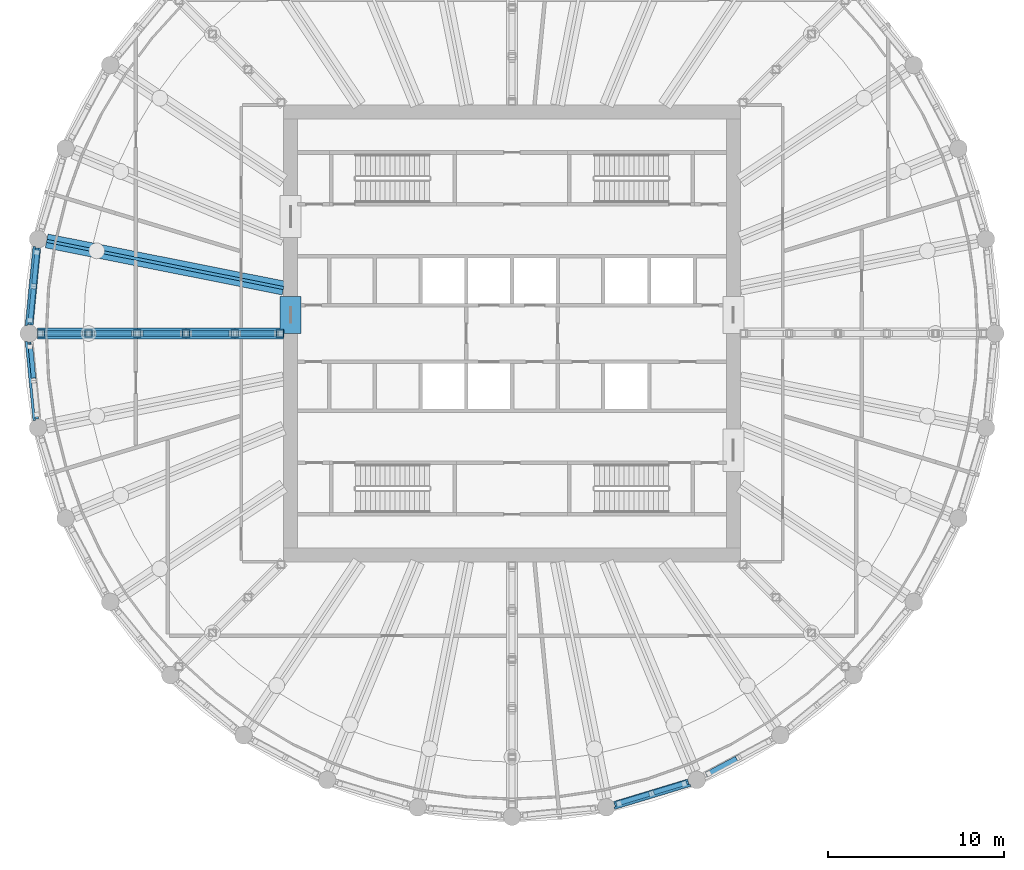
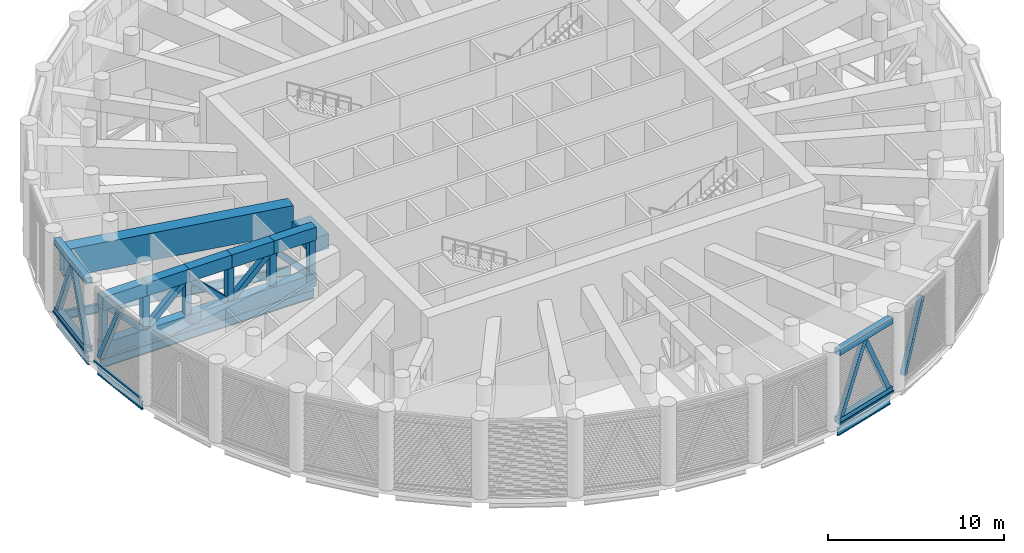
# One storey, part 3 of 24: 30 members, 7 beams, 3 elements without a shape of their own.
"""IFC4 building model written with IfcOpenShell, lengths in metres."""

from ifc_helpers import new_model, si_unit, direction, frame, origin, origin_2d, place, context, subcontext, project, spatial, rectangle, hollow_rectangle, i_section, extrude, material, material_profile, profile_set, type_object, element, aggregate, save


model = new_model("IFC4")

# Units and contexts
model_context = context("Model", 3, precision=1e-05, world=origin(), true_north=direction((0.0, 1.0)))
body_context = subcontext(model_context, "Body", "Model", "MODEL_VIEW")
ifc_project = project(units=[si_unit("LENGTHUNIT", "METRE"), si_unit("AREAUNIT", "SQUARE_METRE"), si_unit("VOLUMEUNIT", "CUBIC_METRE"), si_unit("PLANEANGLEUNIT", "RADIAN"), si_unit("MASSUNIT", "GRAM", prefix="KILO")], contexts=[model_context])

# Site, building, storey
site_placement = place(None, origin())
site = spatial("IfcSite", under=ifc_project, at=site_placement, CompositionType="ELEMENT")
building_placement = place(site_placement, origin())
building = spatial("IfcBuilding", under=site, at=building_placement, Name="Corvane Civic Tower", CompositionType="ELEMENT")
storey_placement = place(building_placement, frame((0.0, 0.0, 257.5)))
storey = spatial("IfcBuildingStorey", under=building, at=storey_placement, Name="L61", CompositionType="ELEMENT", Elevation=257.5)

# Members
ifc_material_1 = material(Name="Steel ASTM A500 Gr C", Category="steel")
ifc_material_profile_1 = material_profile(ifc_material_1, hollow_rectangle(XDim=0.406494140625, YDim=0.406494140625, WallThickness=0.0146484375, at=origin_2d()), Name="HSS16X16X5/8")
ifc_profile_set_1 = profile_set([ifc_material_profile_1], Name="Steel ASTM A500 Gr C")
member_type_1 = type_object("IfcMemberType", Name="BELT CHORD HSS16X16X5/8", PredefinedType="CHORD", material=ifc_profile_set_1)
for number, where, z_axis, x_axis, name in (
    (1, (10.045166015625, -25.552001953125, 4.94677734375), (-0.956949547653, -0.290254307888, 0.0), (0.290254307888, -0.956949547653, 0.0), "Belt truss BT-L61"),
    (2, (10.045166015625, -25.552001953125, 0.203125), (-0.956949547653, -0.290254307888, 0.0), (0.290254307888, -0.956949547653, 0.0), "Belt truss BT-L61"),
):
    element("IfcMember", number, at=place(storey_placement, frame(where, z_axis=z_axis, x_axis=x_axis)), inside=storey, type_object=member_type_1, Name=name, PredefinedType="CHORD", context=body_context, shape_type="SweptSolid", body=[
        extrude(hollow_rectangle(XDim=0.406494140625, YDim=0.406494140625, WallThickness=0.0146484375, at=origin_2d()), origin(), (0.0, 0.0, 1.0), 4.390625),
    ])
for number, where, z_axis, x_axis, name in (
    (3, (-27.450927734375, 0.49755859375, 4.94677734375), (0.097967711281, 0.995189593769, 0.0), (-0.995189593769, 0.097967711281, 0.0), "Belt truss BT-L61"),
    (4, (-27.450927734375, 0.49755859375, 0.203125), (0.097967711281, 0.995189593769, 0.0), (-0.995189593769, 0.097967711281, 0.0), "Belt truss BT-L61"),
):
    element("IfcMember", number, at=place(storey_placement, frame(where, z_axis=z_axis, x_axis=x_axis)), inside=storey, type_object=member_type_1, Name=name, PredefinedType="CHORD", context=body_context, shape_type="SweptSolid", body=[
        extrude(hollow_rectangle(XDim=0.406494140625, YDim=0.406494140625, WallThickness=0.0146484375, at=origin_2d()), origin(), (0.0, 0.0, 1.0), 4.39111328125),
    ])
ifc_material_2 = material(Name="Steel ASTM A500 Gr C", Category="steel")
ifc_material_profile_2 = material_profile(ifc_material_2, hollow_rectangle(XDim=0.3046875, YDim=0.3046875, WallThickness=0.01171875, at=origin_2d()), Name="HSS12X12X1/2")
ifc_profile_set_2 = profile_set([ifc_material_profile_2], Name="Steel ASTM A500 Gr C")
member_type_2 = type_object("IfcMemberType", Name="BELT DIAGONAL HSS12X12X1/2", PredefinedType="BRACE", material=ifc_profile_set_2)
for number, where, z_axis, x_axis, name in (
    (5, (11.18505859375, -25.05322265625, 0.406494140625), (0.36095861571, 0.192908446301, 0.912411754139), (-0.471343613184, 0.88194965747, 0.0), "Belt truss BT-L61"),
    (6, (9.805908203125, -25.62451171875, 0.406494140625), (-0.391625604983, -0.118797380239, 0.912423458691), (0.290282555448, -0.956940979373, 0.0), "Belt truss BT-L61"),
    (7, (6.082763671875, -26.75390625, 0.406494140625), (0.391625604983, 0.118797380239, 0.912423458691), (-0.290282555448, 0.956940979373, 0.0), "Belt truss BT-L61"),
):
    element("IfcMember", number, at=place(storey_placement, frame(where, z_axis=z_axis, x_axis=x_axis)), inside=storey, type_object=member_type_2, Name=name, PredefinedType="BRACE", context=body_context, shape_type="SweptSolid", body=[
        extrude(hollow_rectangle(XDim=0.3046875, YDim=0.3046875, WallThickness=0.01171875, at=origin_2d()), origin(), (0.0, 0.0, 1.0), 4.75341796875),
    ])
for number, where, z_axis, x_axis, name in (
    (8, (-27.426513671875, -0.746337890625, 0.406494140625), (0.040111669224, -0.407331176201, 0.912399236566), (0.99518638285, 0.098000323415, 0.0), "Belt truss BT-L61"),
    (9, (-27.426513671875, 0.746337890625, 0.406494140625), (0.040111669224, 0.407331176201, 0.912399236566), (-0.99518638285, 0.098000323415, 0.0), "Belt truss BT-L61"),
):
    element("IfcMember", number, at=place(storey_placement, frame(where, z_axis=z_axis, x_axis=x_axis)), inside=storey, type_object=member_type_2, Name=name, PredefinedType="BRACE", context=body_context, shape_type="SweptSolid", body=[
        extrude(hollow_rectangle(XDim=0.3046875, YDim=0.3046875, WallThickness=0.01171875, at=origin_2d()), origin(), (0.0, 0.0, 1.0), 4.753662109375),
    ])
member_1_placement = place(storey_placement, frame((-27.045166015625, 4.61865234375, 0.406494140625), z_axis=(-0.040112508344, -0.407288336964, 0.912418323603), x_axis=(0.995185177501, -0.098012562879, 0.0)))
element("IfcMember", 10, at=member_1_placement, inside=storey, type_object=member_type_2, Name="Belt truss BT-L61", PredefinedType="BRACE", context=body_context, shape_type="SweptSolid", body=[
    extrude(hollow_rectangle(XDim=0.3046875, YDim=0.3046875, WallThickness=0.01171875, at=origin_2d()), origin(), (0.0, 0.0, 1.0), 4.75341796875),
])

# Beams
ifc_material_3 = material(Name="Concrete C50/60", Category="concrete")
ifc_material_profile_3 = material_profile(ifc_material_3, rectangle(XDim=1.199951171875, YDim=1.0, at=origin_2d()), Name="COUPLING BEAM 1200X1000")
ifc_profile_set_3 = profile_set([ifc_material_profile_3], Name="Concrete C50/60")
beam_type_1 = type_object("IfcBeamType", Name="COUPLING BEAM COUPLING BEAM 1200X1000", PredefinedType="BEAM", material=ifc_profile_set_3)
beam_1_placement = place(storey_placement, frame((-12.60009765625, 0.0, 2.60009765625), z_axis=(0.0, 1.0, 0.0), x_axis=(-1.0, 0.0, 0.0)))
element("IfcBeam", 11, at=beam_1_placement, inside=storey, type_object=beam_type_1, Name="BM-L61-cpl-CW-LW", PredefinedType="BEAM", context=body_context, shape_type="SweptSolid", body=[
    extrude(rectangle(XDim=1.199951171875, YDim=1.0, at=origin_2d()), origin(), (0.0, 0.0, 1.0), 2.10009765625),
])
ifc_material_4 = material(Name="Steel ASTM A992 Gr 50", Category="steel")
ifc_material_profile_4 = material_profile(ifc_material_4, i_section(OverallWidth=0.165771484375, OverallDepth=0.5283203125, WebThickness=0.009765625, FlangeThickness=0.013671875, at=origin_2d()), Name="W21X50")
ifc_profile_set_4 = profile_set([ifc_material_profile_4], Name="Steel ASTM A992 Gr 50")
beam_type_2 = type_object("IfcBeamType", Name="EDGE BEAM W21X50", PredefinedType="BEAM", material=ifc_profile_set_4)
beam_2_placement = place(storey_placement, frame((10.045166015625, -25.552001953125, -0.6142578125), z_axis=(-0.956949547653, -0.290254307888, 0.0), x_axis=(0.290254307888, -0.956949547653, 0.0)))
element("IfcBeam", 12, at=beam_2_placement, inside=storey, type_object=beam_type_2, Name="BM-L61-E15", PredefinedType="BEAM", context=body_context, shape_type="SweptSolid", body=[
    extrude(i_section(OverallWidth=0.165771484375, OverallDepth=0.5283203125, WebThickness=0.009765625, FlangeThickness=0.013671875, at=origin_2d()), origin(), (0.0, 0.0, 1.0), 4.390625),
])
for number, where, z_axis, x_axis, name in (
    (13, (-27.020751953125, -4.867431640625, -0.6142578125), (-0.097967711281, 0.995189593769, 0.0), (-0.995189593769, -0.097967711281, 0.0), "BM-L61-E24"),
    (14, (-27.450927734375, 0.49755859375, -0.6142578125), (0.097967711281, 0.995189593769, 0.0), (-0.995189593769, 0.097967711281, 0.0), "BM-L61-E25"),
):
    element("IfcBeam", number, at=place(storey_placement, frame(where, z_axis=z_axis, x_axis=x_axis)), inside=storey, type_object=beam_type_2, Name=name, PredefinedType="BEAM", context=body_context, shape_type="SweptSolid", body=[
        extrude(i_section(OverallWidth=0.165771484375, OverallDepth=0.5283203125, WebThickness=0.009765625, FlangeThickness=0.013671875, at=origin_2d()), origin(), (0.0, 0.0, 1.0), 4.39111328125),
    ])
ifc_material_5 = material(Name="Steel ASTM A992 Gr 50", Category="steel")
ifc_material_profile_5 = material_profile(ifc_material_5, i_section(OverallWidth=0.177978515625, OverallDepth=0.599365234375, WebThickness=0.010009765625, FlangeThickness=0.012939453125, at=origin_2d()), Name="W24X55")
ifc_profile_set_5 = profile_set([ifc_material_profile_5], Name="Steel ASTM A992 Gr 50")
beam_type_3 = type_object("IfcBeamType", Name="FLOOR GIRDER W24X55", PredefinedType="BEAM", material=ifc_profile_set_5)
beam_3_placement = place(storey_placement, frame((-13.0, 0.0, -0.649658203125), z_axis=(-1.0, 0.0, 0.0), x_axis=(0.0, -1.0, 0.0)))
element("IfcBeam", 15, at=beam_3_placement, inside=storey, type_object=beam_type_3, Name="BM-L61-G25", PredefinedType="BEAM", context=body_context, shape_type="SweptSolid", body=[
    extrude(i_section(OverallWidth=0.177978515625, OverallDepth=0.599365234375, WebThickness=0.010009765625, FlangeThickness=0.012939453125, at=origin_2d()), origin(), (0.0, 0.0, 1.0), 14.0),
])
beam_4_placement = place(storey_placement, frame((-13.0, 2.5859375, -0.649658203125), z_axis=(-0.980787802109, 0.195077644118, 0.0), x_axis=(-0.195077644118, -0.980787802109, 0.0)))
element("IfcBeam", 16, at=beam_4_placement, inside=storey, type_object=beam_type_3, Name="BM-L61-G26", PredefinedType="BEAM", context=body_context, shape_type="SweptSolid", body=[
    extrude(i_section(OverallWidth=0.177978515625, OverallDepth=0.599365234375, WebThickness=0.010009765625, FlangeThickness=0.012939453125, at=origin_2d()), origin(), (0.0, 0.0, 1.0), 13.745361328125),
])

# Members
ifc_material_6 = material(Name="Steel ASTM A572 Gr 50", Category="steel")
ifc_material_profile_6 = material_profile(ifc_material_6, hollow_rectangle(XDim=0.60009765625, YDim=0.89990234375, WallThickness=0.0400390625, at=origin_2d()), Name="BOX900X600X40")
ifc_profile_set_6 = profile_set([ifc_material_profile_6], Name="Steel ASTM A572 Gr 50")
member_type_3 = type_object("IfcMemberType", Name="OUTRIGGER CHORD BOX900X600X40", PredefinedType="CHORD", material=ifc_profile_set_6)
member_2_placement = place(storey_placement, frame((-13.0, 0.0, 3.64990234375), z_axis=(-1.0, 0.0, 0.0), x_axis=(0.0, -1.0, 0.0)))
element("IfcMember", 17, at=member_2_placement, inside=storey, type_object=member_type_3, Name="Outrigger truss OT-L61-7", PredefinedType="CHORD", context=body_context, shape_type="SweptSolid", body=[
    extrude(hollow_rectangle(XDim=0.60009765625, YDim=0.89990234375, WallThickness=0.0400390625, at=origin_2d()), origin(), (0.0, 0.0, 1.0), 2.77490234375),
])
member_3_placement = place(storey_placement, frame((-15.77490234375, 0.0, 3.64990234375), z_axis=(-1.0, 0.0, 0.0), x_axis=(0.0, -1.0, 0.0)))
element("IfcMember", 18, at=member_3_placement, inside=storey, type_object=member_type_3, Name="Outrigger truss OT-L61-7", PredefinedType="CHORD", context=body_context, shape_type="SweptSolid", body=[
    extrude(hollow_rectangle(XDim=0.60009765625, YDim=0.89990234375, WallThickness=0.0400390625, at=origin_2d()), origin(), (0.0, 0.0, 1.0), 2.775146484375),
])
member_4_placement = place(storey_placement, frame((-18.550048828125, 0.0, 3.64990234375), z_axis=(-1.0, 0.0, 0.0), x_axis=(0.0, -1.0, 0.0)))
element("IfcMember", 19, at=member_4_placement, inside=storey, type_object=member_type_3, Name="Outrigger truss OT-L61-7", PredefinedType="CHORD", context=body_context, shape_type="SweptSolid", body=[
    extrude(hollow_rectangle(XDim=0.60009765625, YDim=0.89990234375, WallThickness=0.0400390625, at=origin_2d()), origin(), (0.0, 0.0, 1.0), 2.77490234375),
])
member_5_placement = place(storey_placement, frame((-21.324951171875, 0.0, 3.64990234375), z_axis=(-1.0, 0.0, 0.0), x_axis=(0.0, -1.0, 0.0)))
element("IfcMember", 20, at=member_5_placement, inside=storey, type_object=member_type_3, Name="Outrigger truss OT-L61-7", PredefinedType="CHORD", context=body_context, shape_type="SweptSolid", body=[
    extrude(hollow_rectangle(XDim=0.60009765625, YDim=0.89990234375, WallThickness=0.0400390625, at=origin_2d()), origin(), (0.0, 0.0, 1.0), 2.775146484375),
])
member_6_placement = place(storey_placement, frame((-24.10009765625, 0.0, 3.64990234375), z_axis=(-1.0, 0.0, 0.0), x_axis=(0.0, -1.0, 0.0)))
element("IfcMember", 21, at=member_6_placement, inside=storey, type_object=member_type_3, Name="Outrigger truss OT-L61-7", PredefinedType="CHORD", context=body_context, shape_type="SweptSolid", body=[
    extrude(hollow_rectangle(XDim=0.60009765625, YDim=0.89990234375, WallThickness=0.0400390625, at=origin_2d()), origin(), (0.0, 0.0, 1.0), 2.89990234375),
])
member_7_placement = place(storey_placement, frame((-13.0, 0.0, 0.449951171875), z_axis=(-1.0, 0.0, 0.0), x_axis=(0.0, -1.0, 0.0)))
element("IfcMember", 22, at=member_7_placement, inside=storey, type_object=member_type_3, Name="Outrigger truss OT-L61-7", PredefinedType="CHORD", context=body_context, shape_type="SweptSolid", body=[
    extrude(hollow_rectangle(XDim=0.60009765625, YDim=0.89990234375, WallThickness=0.0400390625, at=origin_2d()), origin(), (0.0, 0.0, 1.0), 14.0),
])
ifc_material_7 = material(Name="Steel ASTM A500 Gr C", Category="steel")
ifc_material_profile_7 = material_profile(ifc_material_7, hollow_rectangle(XDim=0.355712890625, YDim=0.355712890625, WallThickness=0.01171875, at=origin_2d()), Name="HSS14X14X1/2")
ifc_profile_set_7 = profile_set([ifc_material_profile_7], Name="Steel ASTM A500 Gr C")
member_type_4 = type_object("IfcMemberType", Name="OUTRIGGER DIAGONAL HSS14X14X1/2", PredefinedType="BRACE", material=ifc_profile_set_7)
member_8_placement = place(storey_placement, frame((-13.406494140625, 0.0, 0.89990234375), z_axis=(-0.685453892401, 0.0, 0.728116035665), x_axis=(0.0, -1.0, 0.0)))
element("IfcMember", 23, at=member_8_placement, inside=storey, type_object=member_type_4, Name="Outrigger truss OT-L61-7", PredefinedType="BRACE", context=body_context, shape_type="SweptSolid", body=[
    extrude(hollow_rectangle(XDim=0.355712890625, YDim=0.355712890625, WallThickness=0.01171875, at=origin_2d()), origin(), (0.0, 0.0, 1.0), 3.158935546875),
])
for number, where, z_axis, x_axis, name in (
    (24, (-15.978271484375, 0.0, 3.199951171875), (-0.717383914555, 0.0, -0.696678059894), (0.0, -1.0, 0.0), "Outrigger truss OT-L61-7"),
    (25, (-18.753173828125, 0.0, 0.89990234375), (-0.717419803843, 0.0, 0.696641102042), (0.0, -1.0, 0.0), "Outrigger truss OT-L61-7"),
    (26, (-21.5283203125, 0.0, 3.199951171875), (-0.717383914555, 0.0, -0.696678059894), (0.0, -1.0, 0.0), "Outrigger truss OT-L61-7"),
):
    element("IfcMember", number, at=place(storey_placement, frame(where, z_axis=z_axis, x_axis=x_axis)), inside=storey, type_object=member_type_4, Name=name, PredefinedType="BRACE", context=body_context, shape_type="SweptSolid", body=[
        extrude(hollow_rectangle(XDim=0.355712890625, YDim=0.355712890625, WallThickness=0.01171875, at=origin_2d()), origin(), (0.0, 0.0, 1.0), 3.301513671875),
    ])
member_9_placement = place(storey_placement, frame((-24.30322265625, 0.0, 0.89990234375), z_axis=(-0.705600861945, 0.0, 0.708609500094), x_axis=(0.0, -1.0, 0.0)))
element("IfcMember", 27, at=member_9_placement, inside=storey, type_object=member_type_4, Name="Outrigger truss OT-L61-7", PredefinedType="BRACE", context=body_context, shape_type="SweptSolid", body=[
    extrude(hollow_rectangle(XDim=0.355712890625, YDim=0.355712890625, WallThickness=0.01171875, at=origin_2d()), origin(), (0.0, 0.0, 1.0), 3.245849609375),
])
ifc_material_8 = material(Name="Steel ASTM A500 Gr C", Category="steel")
ifc_material_profile_8 = material_profile(ifc_material_8, hollow_rectangle(XDim=0.406494140625, YDim=0.406494140625, WallThickness=0.0146484375, at=origin_2d()), Name="HSS16X16X5/8")
ifc_profile_set_8 = profile_set([ifc_material_profile_8], Name="Steel ASTM A500 Gr C")
member_type_5 = type_object("IfcMemberType", Name="OUTRIGGER POST HSS16X16X5/8", PredefinedType="POST", material=ifc_profile_set_8)
for number, where, z_axis, x_axis, name in (
    (28, (-13.203125, 0.0, 0.89990234375), (0.0, 0.0, 1.0), (1.0, 0.0, 0.0), "Outrigger truss OT-L61-7"),
    (29, (-15.77490234375, 0.0, 0.89990234375), (0.0, 0.0, 1.0), (1.0, 0.0, 0.0), "Outrigger truss OT-L61-7"),
    (30, (-18.550048828125, 0.0, 0.89990234375), (0.0, 0.0, 1.0), (1.0, 0.0, 0.0), "Outrigger truss OT-L61-7"),
    (31, (-21.324951171875, 0.0, 0.89990234375), (0.0, 0.0, 1.0), (1.0, 0.0, 0.0), "Outrigger truss OT-L61-7"),
    (32, (-24.10009765625, 0.0, 0.89990234375), (0.0, 0.0, 1.0), (1.0, 0.0, 0.0), "Outrigger truss OT-L61-7"),
    (33, (-26.796875, 0.0, 0.89990234375), (0.0, 0.0, 1.0), (1.0, 0.0, 0.0), "Outrigger truss OT-L61-7"),
):
    element("IfcMember", number, at=place(storey_placement, frame(where, z_axis=z_axis, x_axis=x_axis)), inside=storey, type_object=member_type_5, Name=name, PredefinedType="POST", context=body_context, shape_type="SweptSolid", body=[
        extrude(hollow_rectangle(XDim=0.406494140625, YDim=0.406494140625, WallThickness=0.0146484375, at=origin_2d()), origin(), (0.0, 0.0, 1.0), 2.300048828125),
    ])

# Curtain wall, member
ifc_material_9 = material(Name="Anodised aluminium bronze", Category="aluminium")
curtain_wall_type = type_object("IfcCurtainWallType", Name="TOWER CW-LV LOUVRE SCREEN WALL", PredefinedType="NOTDEFINED", material=ifc_material_9)
curtain_wall_1_placement = place(storey_placement, origin())
curtain_wall_1 = element("IfcCurtainWall", 34, at=curtain_wall_1_placement, inside=storey, type_object=curtain_wall_type, Name="Louvre screen wall CW-LV L61 bay 15", PredefinedType="NOTDEFINED")
ifc_material_10 = material(Name="Anodised aluminium bronze", Category="aluminium")
ifc_material_profile_9 = material_profile(ifc_material_10, rectangle(XDim=0.139892578125, YDim=0.1201171875, at=origin_2d()), Name="TOWER CW-LV TRANSOM 140x120")
ifc_profile_set_9 = profile_set([ifc_material_profile_9], Name="Anodised aluminium bronze")
member_type_6 = type_object("IfcMemberType", Name="TOWER CW-LV TRANSOM 140x120", PredefinedType="USERDEFINED", material=ifc_profile_set_9)
member_10_placement = place(storey_placement, frame((10.15771484375, -25.705078125, 0.06005859375), z_axis=(-0.956941182173, -0.2902818869, 0.0), x_axis=(0.2902818869, -0.956941182173, 0.0)))
member_10 = element("IfcMember", 35, at=member_10_placement, type_object=member_type_6, Name="Transom CW-LV L61 15.1", ObjectType="TRANSOM", PredefinedType="USERDEFINED", context=body_context, shape_type="SweptSolid", body=[
    extrude(rectangle(XDim=0.139892578125, YDim=0.1201171875, at=origin_2d()), origin(), (0.0, 0.0, 1.0), 4.517333984375),
])
aggregate(curtain_wall_1, [member_10])

curtain_wall_2_placement = place(storey_placement, origin())
curtain_wall_2 = element("IfcCurtainWall", 36, at=curtain_wall_2_placement, inside=storey, type_object=curtain_wall_type, Name="Louvre screen wall CW-LV L61 bay 24", PredefinedType="NOTDEFINED")
member_11_placement = place(storey_placement, frame((-27.192626953125, -4.94775390625, 0.06005859375), z_axis=(-0.098042715701, 0.995182207386, 0.0), x_axis=(-0.995182207386, -0.098042715701, 0.0)))
member_11 = element("IfcMember", 37, at=member_11_placement, type_object=member_type_6, Name="Transom CW-LV L61 24.1", ObjectType="TRANSOM", PredefinedType="USERDEFINED", context=body_context, shape_type="SweptSolid", body=[
    extrude(rectangle(XDim=0.139892578125, YDim=0.1201171875, at=origin_2d()), origin(), (0.0, 0.0, 1.0), 4.51708984375),
])
aggregate(curtain_wall_2, [member_11])

curtain_wall_3_placement = place(storey_placement, origin())
curtain_wall_3 = element("IfcCurtainWall", 38, at=curtain_wall_3_placement, inside=storey, type_object=curtain_wall_type, Name="Louvre screen wall CW-LV L61 bay 25", PredefinedType="NOTDEFINED")
member_12_placement = place(storey_placement, frame((-27.635498046875, 0.452392578125, 0.06005859375), z_axis=(0.098042715701, 0.995182207386, 0.0), x_axis=(-0.995182207386, 0.098042715701, 0.0)))
member_12 = element("IfcMember", 39, at=member_12_placement, type_object=member_type_6, Name="Transom CW-LV L61 25.1", ObjectType="TRANSOM", PredefinedType="USERDEFINED", context=body_context, shape_type="SweptSolid", body=[
    extrude(rectangle(XDim=0.139892578125, YDim=0.1201171875, at=origin_2d()), origin(), (0.0, 0.0, 1.0), 4.51708984375),
])
aggregate(curtain_wall_3, [member_12])

# Beam
ifc_material_11 = material(Name="Steel ASTM A572 Gr 50", Category="steel")
ifc_material_profile_10 = material_profile(ifc_material_11, hollow_rectangle(XDim=0.800048828125, YDim=1.89990234375, WallThickness=0.050048828125, at=origin_2d()), Name="BOX1900X800X50")
ifc_profile_set_10 = profile_set([ifc_material_profile_10], Name="Steel ASTM A572 Gr 50")
beam_type_4 = type_object("IfcBeamType", Name="TRANSFER GIRDER BOX1900X800X50", PredefinedType="BEAM", material=ifc_profile_set_10)
beam_5_placement = place(storey_placement, frame((-13.0, 2.5859375, 3.14990234375), z_axis=(-0.980787802109, 0.195077644118, 0.0), x_axis=(-0.195077644118, -0.980787802109, 0.0)))
element("IfcBeam", 40, at=beam_5_placement, inside=storey, type_object=beam_type_4, Name="Transfer girder TG-L61-26", PredefinedType="BEAM", context=body_context, shape_type="SweptSolid", body=[
    extrude(hollow_rectangle(XDim=0.800048828125, YDim=1.89990234375, WallThickness=0.050048828125, at=origin_2d()), origin(), (0.0, 0.0, 1.0), 13.745361328125),
])

save(model, "model.ifc")
